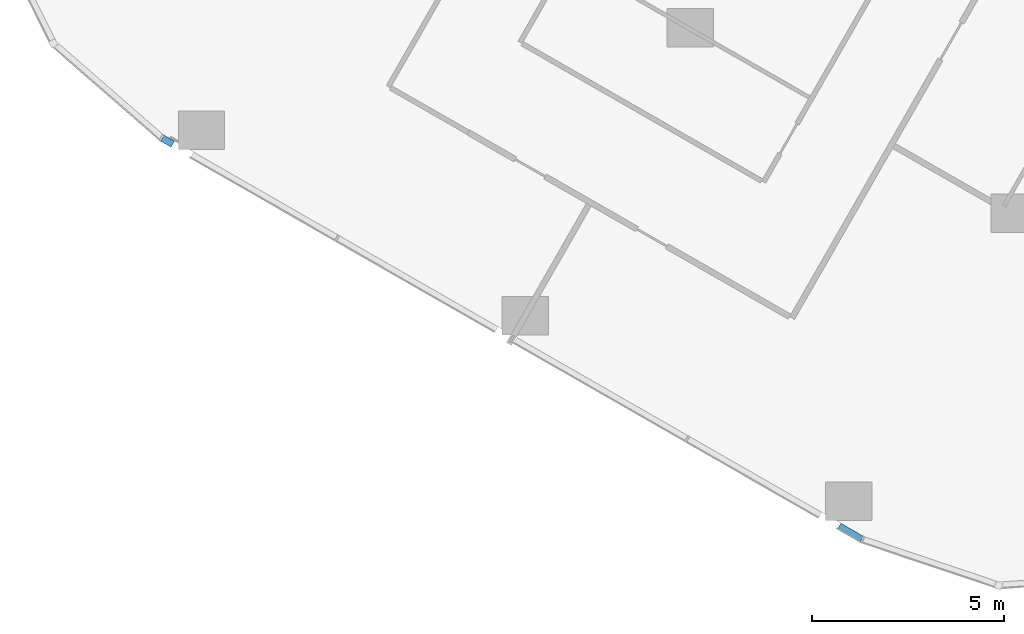
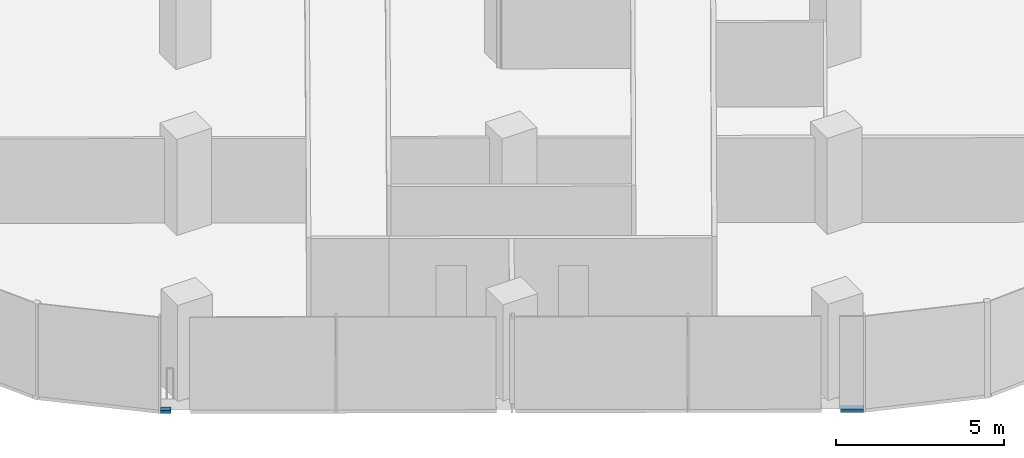
# One storey, part 16 of 34: 2 members, 1 element without a shape of its own.
"""IFC4 building model written with IfcOpenShell, lengths in metres."""

from ifc_helpers import new_model, si_unit, direction, frame, origin, origin_2d, place, context, subcontext, project, spatial, rectangle, extrude, material, material_profile, profile_set, type_object, element, aggregate, save


model = new_model("IFC4")

# Units and contexts
model_context = context("Model", 3, precision=1e-05, world=origin(), true_north=direction((0.0, 1.0)))
body_context = subcontext(model_context, "Body", "Model", "MODEL_VIEW")
ifc_project = project(units=[si_unit("LENGTHUNIT", "METRE"), si_unit("AREAUNIT", "SQUARE_METRE"), si_unit("VOLUMEUNIT", "CUBIC_METRE"), si_unit("PLANEANGLEUNIT", "RADIAN"), si_unit("MASSUNIT", "GRAM", prefix="KILO")], contexts=[model_context])

# Site, building, storey
site_placement = place(None, origin())
site = spatial("IfcSite", under=ifc_project, at=site_placement, CompositionType="ELEMENT")
building_placement = place(site_placement, origin())
building = spatial("IfcBuilding", under=site, at=building_placement, Name="Orlundy Tower", CompositionType="ELEMENT")
storey_placement = place(building_placement, frame((0.0, 0.0, 112.699951171875)))
storey = spatial("IfcBuildingStorey", under=building, at=storey_placement, Name="L28", CompositionType="ELEMENT", Elevation=112.699951171875)

# Curtain wall, members
ifc_material_1 = material(Name="Aluminium bronze anodised", Category="aluminium")
curtain_wall_type = type_object("IfcCurtainWallType", Name="CW1 wall", PredefinedType="NOTDEFINED", material=ifc_material_1)
curtain_wall_placement = place(storey_placement, origin())
curtain_wall = element("IfcCurtainWall", 1, at=curtain_wall_placement, inside=storey, type_object=curtain_wall_type, Name="CW1 run 07", PredefinedType="NOTDEFINED")
ifc_material_2 = material(Name="Aluminium bronze anodised", Category="aluminium")
ifc_material_profile = material_profile(ifc_material_2, rectangle(XDim=0.179931640625, YDim=0.1201171875, at=origin_2d()), Name="CW1 transom 180x120")
ifc_profile_set = profile_set([ifc_material_profile], Name="Aluminium bronze anodised")
member_type = type_object("IfcMemberType", Name="CW1 transom 180x120", PredefinedType="USERDEFINED", material=ifc_profile_set)
member_1_placement = place(storey_placement, frame((-20.5498046875, -56.907958984375, -0.33984375), z_axis=(-0.867534563836, 0.497376899896, 0.0), x_axis=(-0.497376899896, -0.867534563836, 0.0)))
member_1 = element("IfcMember", 2, at=member_1_placement, type_object=member_type, Name="CW1 transom", ObjectType="TRANSOM", PredefinedType="USERDEFINED", context=body_context, shape_type="SweptSolid", body=[
    extrude(rectangle(XDim=0.179931640625, YDim=0.1201171875, at=origin_2d()), origin(), (0.0, 0.0, 1.0), 0.679443359375),
])
member_2_placement = place(storey_placement, frame((-38.466064453125, -46.633544921875, -0.33984375), z_axis=(-0.867333798225, 0.497726915544, 0.0), x_axis=(-0.497726915544, -0.867333798225, 0.0)))
member_2 = element("IfcMember", 3, at=member_2_placement, type_object=member_type, Name="CW1 transom", ObjectType="TRANSOM", PredefinedType="USERDEFINED", context=body_context, shape_type="SweptSolid", body=[
    extrude(rectangle(XDim=0.179931640625, YDim=0.1201171875, at=origin_2d()), origin(), (0.0, 0.0, 1.0), 0.314453125),
])
aggregate(curtain_wall, [member_1, member_2])

save(model, "model.ifc")
